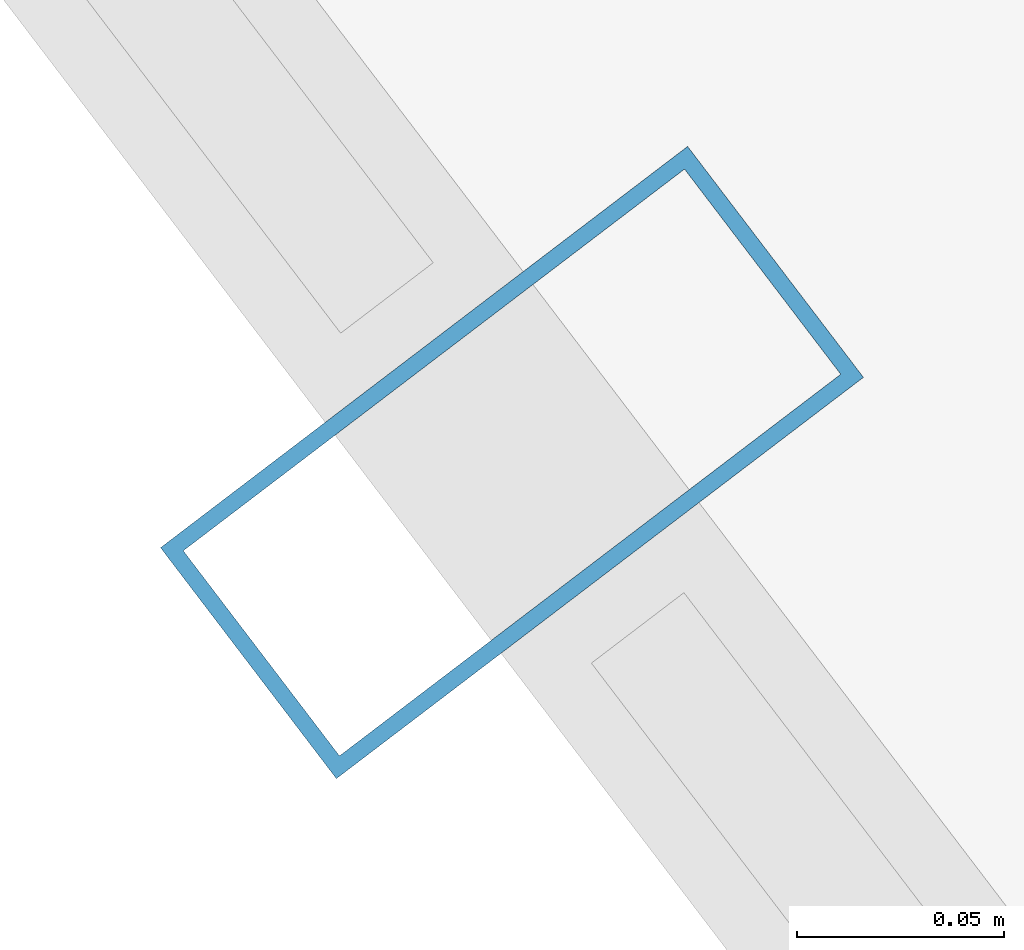
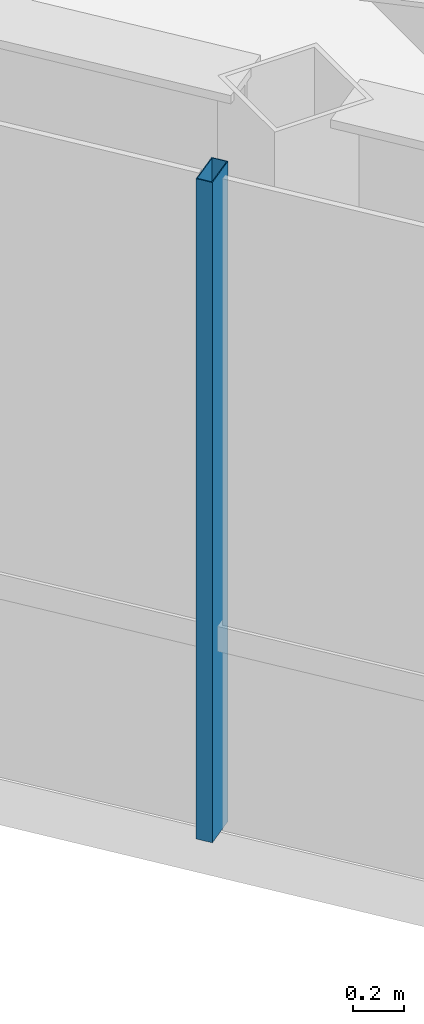
# One storey, part 5 of 23: 1 member, 1 element without a shape of its own.
"""IFC4 building model written with IfcOpenShell, lengths in metres."""

from ifc_helpers import new_model, si_unit, direction, frame, origin, origin_2d, place, context, subcontext, project, spatial, hollow_rectangle, extrude, material, layer, layer_set, material_profile, profile_set, type_object, element, aggregate, save


model = new_model("IFC4")

# Units and contexts
model_context = context("Model", 3, precision=1e-05, world=origin(), true_north=direction((0.0, 1.0)))
body_context = subcontext(model_context, "Body", "Model", "MODEL_VIEW")
ifc_project = project(units=[si_unit("LENGTHUNIT", "METRE"), si_unit("AREAUNIT", "SQUARE_METRE"), si_unit("VOLUMEUNIT", "CUBIC_METRE"), si_unit("PLANEANGLEUNIT", "RADIAN"), si_unit("MASSUNIT", "GRAM", prefix="KILO")], contexts=[model_context])

# Site, building, storey
site_placement = place(None, origin())
site = spatial("IfcSite", under=ifc_project, at=site_placement, CompositionType="ELEMENT")
building_placement = place(site_placement, origin())
building = spatial("IfcBuilding", under=site, at=building_placement, Name="Zarrinselat Tower", CompositionType="ELEMENT")
storey_placement = place(building_placement, frame((0.0, 0.0, 282.199951171875)))
storey = spatial("IfcBuildingStorey", under=building, at=storey_placement, Name="L72", CompositionType="ELEMENT", Elevation=282.199951171875)

# Curtain wall, member
ifc_material_1 = material(Name="Extruded Aluminium Alloy EN AW-6063 T6", Category="aluminium")
ifc_layer = layer(ifc_material_1, 0.169921875)
ifc_layer_set = layer_set([ifc_layer], Name="Extruded Aluminium Alloy EN AW-6063 T6")
curtain_wall_type = type_object("IfcCurtainWallType", Name="CWS-RES", PredefinedType="NOTDEFINED", material=ifc_layer_set)
curtain_wall_placement = place(storey_placement, origin())
curtain_wall = element("IfcCurtainWall", 1, at=curtain_wall_placement, inside=storey, type_object=curtain_wall_type, Name="L72 Unitised Curtain Wall CW-L72-E03", PredefinedType="NOTDEFINED")
ifc_material_2 = material(Name="Extruded Aluminium Alloy EN AW-6063 T6", Category="aluminium")
ifc_material_profile = material_profile(ifc_material_2, hollow_rectangle(XDim=0.070068359375, YDim=0.159912109375, WallThickness=0.00390625, at=origin_2d()), Name="RHS 160x70x4")
ifc_profile_set = profile_set([ifc_material_profile], Name="Extruded Aluminium Alloy EN AW-6063 T6")
member_type = type_object("IfcMemberType", Name="MEM-CW-MUL2", PredefinedType="MULLION", material=ifc_profile_set)
member_placement = place(storey_placement, frame((25.106689453125, 31.381591796875, 0.0), z_axis=(0.0, 0.0, 1.0), x_axis=(0.60576733126, -0.795641841772, 0.0)))
member = element("IfcMember", 2, at=member_placement, type_object=member_type, Name="CW-L72-E03 Mullion 4", PredefinedType="MULLION", context=body_context, shape_type="SweptSolid", body=[
    extrude(hollow_rectangle(XDim=0.070068359375, YDim=0.159912109375, WallThickness=0.00390625, at=origin_2d()), origin(), (0.0, 0.0, 1.0), 3.179931640625),
])
aggregate(curtain_wall, [member])

save(model, "model.ifc")
